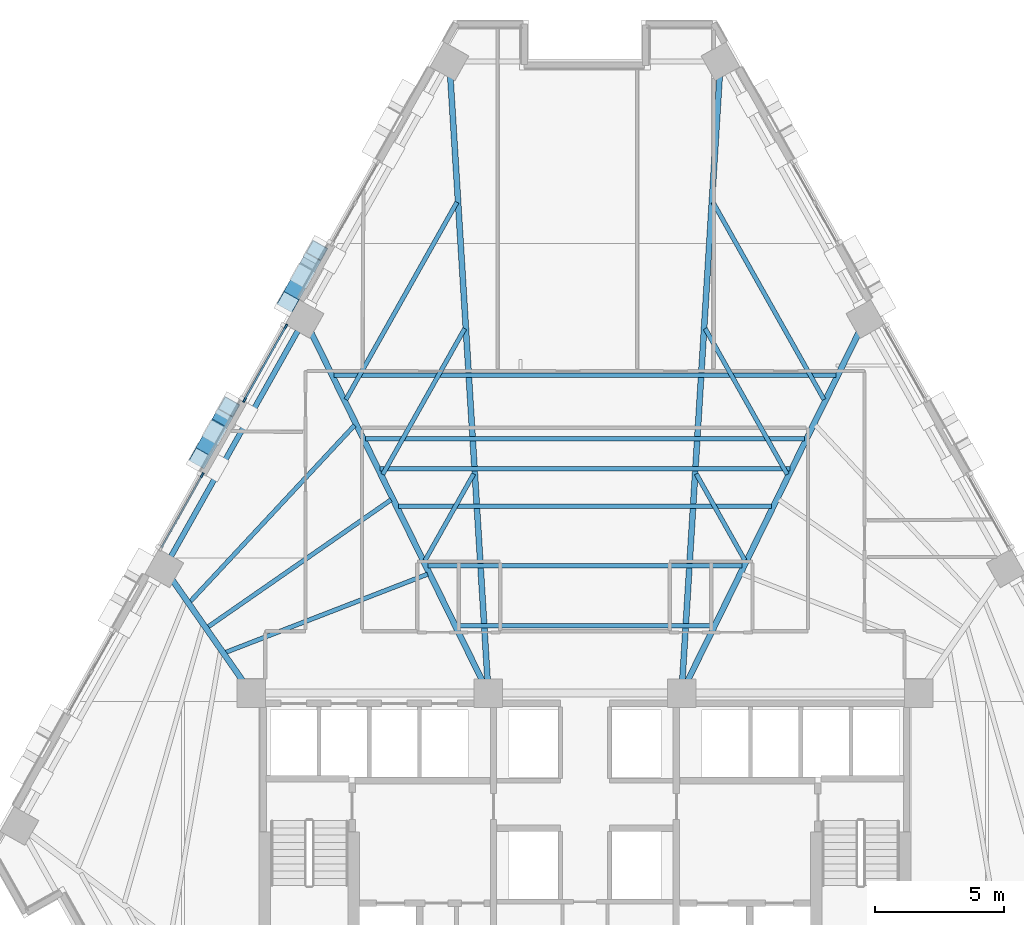
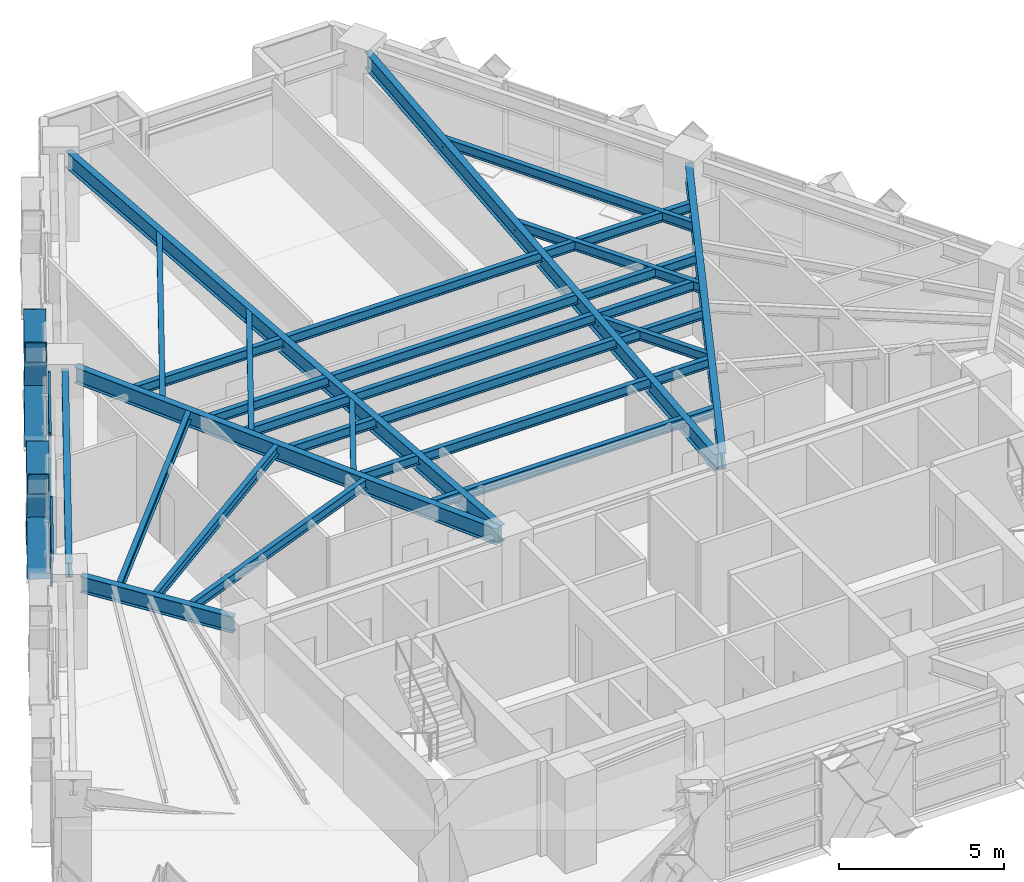
# One storey, part 3 of 14: 21 beams, 12 members, 2 elements without a shape of their own.
"""IFC4 building model written with IfcOpenShell, lengths in metres."""

import ifcopenshell
import ifcopenshell.guid

model = None  # the IFC model being written
_history = None  # IfcOwnerHistory: only IFC2X3 demands one
_inside = {}  # id of a spatial element -> (the spatial element, [elements in it])
_under = {}  # id of a project, library or spatial element -> (it, [spatial elements below it])
_declared = {}  # id of a project -> (the project, [libraries it declares])
_typed = {}  # id of a type object -> (the type object, [elements of that type])
_made_of = {}  # id of a material, layer set ... -> (it, [elements and type objects made of it])


def new_model(schema):
    """Start an empty IFC model of exactly this schema.

    Asked for "IFC4X3", IfcOpenShell would pick the latest addendum, in which some entities
    have other attributes; the version numbers below select the first issue.
    IFC2X3 requires an IfcOwnerHistory on every rooted entity: one is made here for all.
    """
    global model, _history
    if schema == "IFC4X3":
        model = ifcopenshell.file(schema_version=(4, 3, 0, 0))
    else:
        model = ifcopenshell.file(schema=schema)
    _inside.clear()
    _under.clear()
    _declared.clear()
    _typed.clear()
    _made_of.clear()
    _history = None
    if model.schema == "IFC2X3":
        org = make("IfcOrganization", Name="unknown")
        user = make(
            "IfcPersonAndOrganization",
            ThePerson=make("IfcPerson", FamilyName="unknown"),
            TheOrganization=org,
        )
        app = make(
            "IfcApplication",
            ApplicationDeveloper=org,
            Version="unknown",
            ApplicationFullName="unknown",
            ApplicationIdentifier="unknown",
        )
        _history = make(
            "IfcOwnerHistory",
            OwningUser=user,
            OwningApplication=app,
            ChangeAction="ADDED",
            CreationDate=0,
        )
    return model


def make(cls, **values):
    """One entity of the class cls with the attributes given. An attribute that is None is left unset."""
    return model.create_entity(
        cls, **{name: value for name, value in values.items() if value is not None}
    )


def rooted(cls, **values):
    """An entity with a GlobalId (a new one), such as an element, a storey or a relation."""
    return make(cls, GlobalId=ifcopenshell.guid.new(), OwnerHistory=_history, **values)


def si_unit(unit_type, name, prefix=None):
    """IfcSIUnit, for example si_unit("LENGTHUNIT", "METRE", prefix="MILLI")."""
    return make("IfcSIUnit", UnitType=unit_type, Prefix=prefix, Name=name)


def assignment(units):
    """IfcUnitAssignment: the units of a project."""
    return None if units is None else make("IfcUnitAssignment", Units=units)


def point(xyz):
    """IfcCartesianPoint."""
    return None if xyz is None else make("IfcCartesianPoint", Coordinates=xyz)


def direction(xyz):
    """IfcDirection."""
    return None if xyz is None else make("IfcDirection", DirectionRatios=xyz)


def frame(location, z_axis=None, x_axis=None):
    """IfcAxis2Placement3D, a coordinate frame: its origin and axes. An axis left out is left unset."""
    return make(
        "IfcAxis2Placement3D",
        Location=point(location),
        Axis=direction(z_axis),
        RefDirection=direction(x_axis),
    )


def frame_2d(location, x_axis=None):
    """IfcAxis2Placement2D, a coordinate frame in the plane: its origin and x axis."""
    return make(
        "IfcAxis2Placement2D", Location=point(location), RefDirection=direction(x_axis)
    )


def origin():
    """The frame at (0, 0, 0) with its axes left unset."""
    return frame((0.0, 0.0, 0.0))


def origin_2d():
    """The frame at (0, 0) in the plane with its x axis left unset."""
    return frame_2d((0.0, 0.0))


def place(relative_to, where):
    """IfcLocalPlacement: puts the frame where relative to a parent placement (None: the world)."""
    return make(
        "IfcLocalPlacement", PlacementRelTo=relative_to, RelativePlacement=where
    )


def context(
    kind, dimensions, precision=None, world=None, true_north=None, identifier=None
):
    """IfcGeometricRepresentationContext, for example the 3D "Model" context."""
    return make(
        "IfcGeometricRepresentationContext",
        ContextIdentifier=identifier,
        ContextType=kind,
        CoordinateSpaceDimension=dimensions,
        Precision=precision,
        WorldCoordinateSystem=world,
        TrueNorth=true_north,
    )


def subcontext(parent, identifier, kind, view, scale=None):
    """IfcGeometricRepresentationSubContext, for example "Body" below "Model"."""
    return make(
        "IfcGeometricRepresentationSubContext",
        ContextIdentifier=identifier,
        ContextType=kind,
        ParentContext=parent,
        TargetScale=scale,
        TargetView=view,
    )


def project(units=None, contexts=None):
    """IfcProject with its units and contexts."""
    return rooted(
        "IfcProject",
        Name="project",
        RepresentationContexts=contexts,
        UnitsInContext=assignment(units),
    )


def spatial(cls, under=None, at=None, **own):
    """A site, building, storey or space (cls), placed at a placement, below another one or the project."""
    s = rooted(cls, ObjectPlacement=at, **own)
    if under is not None:
        _under.setdefault(under.id(), (under, []))[1].append(s)
    return s


def profile(cls, at=None, kind="AREA", **sizes):
    """A parametric profile (cls). Its sizes go by their IFC names, for example OverallWidth=200.0."""
    return make(cls, ProfileType=kind, Position=at, **sizes)


def rectangle(**sizes):
    """IfcRectangleProfileDef."""
    return profile("IfcRectangleProfileDef", **sizes)


def hollow_rectangle(**sizes):
    """IfcRectangleHollowProfileDef."""
    return profile("IfcRectangleHollowProfileDef", **sizes)


def i_section(**sizes):
    """IfcIShapeProfileDef."""
    return profile("IfcIShapeProfileDef", **sizes)


def extrude(swept, where, along, depth):
    """IfcExtrudedAreaSolid: the profile swept, set in the frame where, extruded along a direction by depth."""
    return make(
        "IfcExtrudedAreaSolid",
        SweptArea=swept,
        Position=where,
        ExtrudedDirection=direction(along),
        Depth=depth,
    )


def shape(context_of_items, identifier, shape_type, items):
    """IfcShapeRepresentation: the items that make up one representation, for example the "Body"."""
    return make(
        "IfcShapeRepresentation",
        ContextOfItems=context_of_items,
        RepresentationIdentifier=identifier,
        RepresentationType=shape_type,
        Items=items,
    )


def material(Name=None, Category=None):
    """IfcMaterial."""
    return make("IfcMaterial", Name=Name, Category=Category)


def material_profile(
    of_material, cross_section, Name=None, Category=None, Priority=None
):
    """IfcMaterialProfile: a cross section and its material."""
    return make(
        "IfcMaterialProfile",
        Name=Name,
        Material=of_material,
        Profile=cross_section,
        Priority=Priority,
        Category=Category,
    )


def profile_set(profiles, Name=None, composite=None):
    """IfcMaterialProfileSet."""
    return make(
        "IfcMaterialProfileSet",
        Name=Name,
        MaterialProfiles=profiles,
        CompositeProfile=composite,
    )


def made_of(thing, what):
    """Note that an element or type object is made of a material, layer set ...; save() writes the relation."""
    if what is not None:
        _made_of.setdefault(what.id(), (what, []))[1].append(thing)
    return thing


def type_object(cls, material=None, **own):
    """A type object (cls), such as IfcWallType, which elements share."""
    return made_of(rooted(cls, **own), material)


def element(
    cls,
    number,
    at=None,
    inside=None,
    cuts=None,
    type_object=None,
    material=None,
    context=None,
    identifier="Body",
    shape_type=None,
    held_by="IfcProductDefinitionShape",
    body=None,
    shapes=None,
    **own,
):
    """One element of the class cls, such as IfcWall. Its Tag is "e" and its number.

    at: its placement. inside: the storey or other place that contains it. cuts: it is an
    opening in that element (IfcRelVoidsElement). A single representation is given by context,
    identifier, shape_type and body (its items); several are given by shapes. held_by: the class
    of the entity that holds the representations. save() writes the other relations.
    """
    e = rooted(cls, Tag="e%d" % number, ObjectPlacement=at, **own)
    if body is not None:
        shapes = [shape(context, identifier, shape_type, body)]
    if shapes is not None:
        e.Representation = make(held_by, Representations=shapes)
    if inside is not None:
        _inside.setdefault(inside.id(), (inside, []))[1].append(e)
    if cuts is not None:
        rooted(
            "IfcRelVoidsElement", RelatingBuildingElement=cuts, RelatedOpeningElement=e
        )
    if type_object is not None:
        _typed.setdefault(type_object.id(), (type_object, []))[1].append(e)
    return made_of(e, material)


def aggregate(whole, parts):
    """IfcRelAggregates: a whole, such as a stair, and the parts it consists of."""
    return rooted("IfcRelAggregates", RelatingObject=whole, RelatedObjects=parts)


def save(model, path):
    """Write the relations noted so far, then the file.

    IfcRelAggregates (storeys below a building ...), IfcRelContainedInSpatialStructure (elements
    in a storey), IfcRelDefinesByType, IfcRelAssociatesMaterial and IfcRelDeclares: one each for
    every whole, place, type object, material and project.
    """
    for whole, parts in _under.values():
        aggregate(whole, parts)
    for where, things in _inside.values():
        rooted(
            "IfcRelContainedInSpatialStructure",
            RelatedElements=things,
            RelatingStructure=where,
        )
    for kind, things in _typed.values():
        rooted("IfcRelDefinesByType", RelatedObjects=things, RelatingType=kind)
    for what, things in _made_of.values():
        rooted("IfcRelAssociatesMaterial", RelatedObjects=things, RelatingMaterial=what)
    for by, libraries in _declared.values():
        rooted("IfcRelDeclares", RelatingContext=by, RelatedDefinitions=libraries)
    model.write(path)


model = new_model("IFC4")

# Units and contexts
model_context = context("Model", 3, precision=1e-05, world=origin(), true_north=direction((0.0, 1.0)))
body_context = subcontext(model_context, "Body", "Model", "MODEL_VIEW")
ifc_project = project(units=[si_unit("LENGTHUNIT", "METRE"), si_unit("AREAUNIT", "SQUARE_METRE"), si_unit("VOLUMEUNIT", "CUBIC_METRE"), si_unit("PLANEANGLEUNIT", "RADIAN"), si_unit("MASSUNIT", "GRAM", prefix="KILO")], contexts=[model_context])

# Site, building, storey
site_placement = place(None, origin())
site = spatial("IfcSite", under=ifc_project, at=site_placement, CompositionType="ELEMENT")
building_placement = place(site_placement, origin())
building = spatial("IfcBuilding", under=site, at=building_placement, Name="Quenlor Broadcast Tower", CompositionType="ELEMENT")
storey_placement = place(building_placement, frame((0.0, 0.0, 80.10009765625)))
storey = spatial("IfcBuildingStorey", under=building, at=storey_placement, Name="L21", CompositionType="ELEMENT", Elevation=80.10009765625)

# Curtain wall, member
ifc_material_1 = material(Name="Architectural Terracotta and Low-E Glazing", Category="masonry")
curtain_wall_type = type_object("IfcCurtainWallType", Name="Unitised Terracotta Curtain Wall System Z2", PredefinedType="NOTDEFINED", material=ifc_material_1)
curtain_wall_1_placement = place(storey_placement, origin())
curtain_wall_1 = element("IfcCurtainWall", 1, at=curtain_wall_1_placement, inside=storey, type_object=curtain_wall_type, Name="L21 Curtain Wall CW2 (L21-NW-G1)", PredefinedType="NOTDEFINED")
ifc_material_2 = material(Name="Aluminium 6063-T6", Category="aluminium")
ifc_material_profile_1 = material_profile(ifc_material_2, rectangle(XDim=0.074951171875, YDim=0.199951171875, at=origin_2d()))
ifc_profile_set_1 = profile_set([ifc_material_profile_1], Name="Aluminium 6063-T6 MULL75x200")
member_type_1 = type_object("IfcMemberType", Name="CW2 Aluminium Mullion MULL_CW2", PredefinedType="MULLION", material=ifc_profile_set_1)
member_1_placement = place(storey_placement, frame((-14.857177734375, 3.660888671875, 0.0), z_axis=(0.0, 0.0, 1.0), x_axis=(-0.871575537123, 0.490261239636, 0.0)))
member_1 = element("IfcMember", 2, at=member_1_placement, type_object=member_type_1, Name="CW2 mullion 2", PredefinedType="MULLION", context=body_context, shape_type="SweptSolid", body=[
    extrude(rectangle(XDim=0.074951171875, YDim=0.199951171875, at=origin_2d()), origin(), (0.0, 0.0, 1.0), 3.25),
])

# Curtain wall, members
curtain_wall_2_placement = place(storey_placement, origin())
curtain_wall_2 = element("IfcCurtainWall", 3, at=curtain_wall_2_placement, inside=storey, type_object=curtain_wall_type, Name="L21 Curtain Wall CW2 (L21-NW-G2)", PredefinedType="NOTDEFINED")
member_2_placement = place(storey_placement, frame((-13.2138671875, 6.582275390625, 0.0), z_axis=(0.0, 0.0, 1.0), x_axis=(-0.871575537123, 0.490261239636, 0.0)))
member_2 = element("IfcMember", 4, at=member_2_placement, type_object=member_type_1, Name="CW2 mullion 1", PredefinedType="MULLION", context=body_context, shape_type="SweptSolid", body=[
    extrude(rectangle(XDim=0.074951171875, YDim=0.199951171875, at=origin_2d()), origin(), (0.0, 0.0, 1.0), 3.25),
])
member_3_placement = place(storey_placement, frame((-11.611572265625, 9.430419921875, 0.0), z_axis=(0.0, 0.0, 1.0), x_axis=(-0.871575537123, 0.490261239636, 0.0)))
member_3 = element("IfcMember", 5, at=member_3_placement, type_object=member_type_1, Name="CW2 mullion 2", PredefinedType="MULLION", context=body_context, shape_type="SweptSolid", body=[
    extrude(rectangle(XDim=0.074951171875, YDim=0.199951171875, at=origin_2d()), origin(), (0.0, 0.0, 1.0), 3.25),
])

# Member
ifc_material_3 = material(Name="Aluminium 6063-T6", Category="aluminium")
ifc_material_profile_2 = material_profile(ifc_material_3, rectangle(XDim=0.074951171875, YDim=0.1650390625, at=origin_2d()))
ifc_profile_set_2 = profile_set([ifc_material_profile_2], Name="Aluminium 6063-T6 TRAN75x165")
member_type_2 = type_object("IfcMemberType", Name="CW2 Aluminium Transom TRAN_CW2", PredefinedType="USERDEFINED", material=ifc_profile_set_2)
member_4_placement = place(storey_placement, frame((-16.44091796875, 0.845458984375, 3.21240234375), z_axis=(0.490297543358, 0.871555115283, 0.0), x_axis=(-0.871555115283, 0.490297543358, 0.0)))
member_4 = element("IfcMember", 6, at=member_4_placement, type_object=member_type_2, Name="CW2 transom 1.3", ObjectType="TRANSOM", PredefinedType="USERDEFINED", context=body_context, shape_type="SweptSolid", body=[
    extrude(rectangle(XDim=0.074951171875, YDim=0.1650390625, at=origin_2d()), origin(), (0.0, 0.0, 1.0), 3.19287109375),
])

aggregate(curtain_wall_1, [member_1, member_4])

member_5_placement = place(storey_placement, frame((-13.1953125, 6.614990234375, 0.037353515625), z_axis=(0.490206784037, 0.871606166158, 0.0), x_axis=(-0.871606166158, 0.490206784037, 0.0)))
member_5 = element("IfcMember", 7, at=member_5_placement, type_object=member_type_2, Name="CW2 transom 1.1", ObjectType="TRANSOM", PredefinedType="USERDEFINED", context=body_context, shape_type="SweptSolid", body=[
    extrude(rectangle(XDim=0.074951171875, YDim=0.1650390625, at=origin_2d()), origin(), (0.0, 0.0, 1.0), 3.19287109375),
])

member_6_placement = place(storey_placement, frame((-13.1953125, 6.614990234375, 0.949951171875), z_axis=(0.490206784037, 0.871606166158, 0.0), x_axis=(-0.871606166158, 0.490206784037, 0.0)))
member_6 = element("IfcMember", 8, at=member_6_placement, type_object=member_type_2, Name="CW2 transom 1.2", ObjectType="TRANSOM", PredefinedType="USERDEFINED", context=body_context, shape_type="SweptSolid", body=[
    extrude(rectangle(XDim=0.074951171875, YDim=0.1650390625, at=origin_2d()), origin(), (0.0, 0.0, 1.0), 3.19287109375),
])

member_7_placement = place(storey_placement, frame((-13.1953125, 6.614990234375, 3.21240234375), z_axis=(0.490206784037, 0.871606166158, 0.0), x_axis=(-0.871606166158, 0.490206784037, 0.0)))
member_7 = element("IfcMember", 9, at=member_7_placement, type_object=member_type_2, Name="CW2 transom 1.3", ObjectType="TRANSOM", PredefinedType="USERDEFINED", context=body_context, shape_type="SweptSolid", body=[
    extrude(rectangle(XDim=0.074951171875, YDim=0.1650390625, at=origin_2d()), origin(), (0.0, 0.0, 1.0), 3.19287109375),
])

aggregate(curtain_wall_2, [member_2, member_3, member_5, member_6, member_7])

# Members
ifc_material_4 = material(Name="Steel S355", Category="steel")
ifc_material_profile_3 = material_profile(ifc_material_4, hollow_rectangle(XDim=0.679931640625, YDim=0.679931640625, WallThickness=0.030029296875, at=origin_2d()))
ifc_profile_set_3 = profile_set([ifc_material_profile_3], Name="Steel S355 RHS680x680x30")
member_type_3 = type_object("IfcMemberType", Name="Perimeter Diagonal Lattice Brace Z2 Steel S355 RHS680x30", PredefinedType="BRACE", material=ifc_profile_set_3)
member_8_placement = place(storey_placement, frame((-14.94189453125, 4.316162109375, -0.1201171875), z_axis=(0.268642373731, 0.477592925498, 0.83650240439), x_axis=(-0.871578380919, 0.490256183964, 0.0)))
element("IfcMember", 10, at=member_8_placement, inside=storey, type_object=member_type_3, Name="L21 Perimeter Diamond Lattice NW-C3XA", PredefinedType="BRACE", context=body_context, shape_type="SweptSolid", body=[
    extrude(hollow_rectangle(XDim=0.679931640625, YDim=0.679931640625, WallThickness=0.030029296875, at=origin_2d()), origin(), (0.0, 0.0, 1.0), 4.18408203125),
])
member_9_placement = place(storey_placement, frame((-13.81787109375, 6.314453125, -0.1201171875), z_axis=(-0.268503779961, -0.477634562182, 0.836523128883), x_axis=(0.871704696361, -0.490031552394, 0.0)))
element("IfcMember", 11, at=member_9_placement, inside=storey, type_object=member_type_3, Name="L21 Perimeter Diamond Lattice NW-C3XB1", PredefinedType="BRACE", context=body_context, shape_type="SweptSolid", body=[
    extrude(hollow_rectangle(XDim=0.679931640625, YDim=0.679931640625, WallThickness=0.030029296875, at=origin_2d()), origin(), (0.0, 0.0, 1.0), 1.84228515625),
])
member_10_placement = place(storey_placement, frame((-14.447021484375, 5.19580078125, 1.839111328125), z_axis=(-0.268673537114, -0.477568206326, 0.836506508499), x_axis=(0.871543234879, -0.490318661421, 0.0)))
element("IfcMember", 12, at=member_10_placement, inside=storey, type_object=member_type_3, Name="L21 Perimeter Diamond Lattice NW-C3XB2", PredefinedType="BRACE", context=body_context, shape_type="SweptSolid", body=[
    extrude(hollow_rectangle(XDim=0.679931640625, YDim=0.679931640625, WallThickness=0.030029296875, at=origin_2d()), origin(), (0.0, 0.0, 1.0), 1.841796875),
])
member_11_placement = place(storey_placement, frame((-11.52880859375, 10.3837890625, -0.1201171875), z_axis=(0.268642373731, 0.477592925498, 0.83650240439), x_axis=(-0.871578380919, 0.490256183964, 0.0)))
element("IfcMember", 13, at=member_11_placement, inside=storey, type_object=member_type_3, Name="L21 Perimeter Diamond Lattice NW-C4XA", PredefinedType="BRACE", context=body_context, shape_type="SweptSolid", body=[
    extrude(hollow_rectangle(XDim=0.679931640625, YDim=0.679931640625, WallThickness=0.030029296875, at=origin_2d()), origin(), (0.0, 0.0, 1.0), 4.18408203125),
])
member_12_placement = place(storey_placement, frame((-11.033935546875, 11.263671875, 1.839111328125), z_axis=(-0.268656529223, -0.477670513725, 0.836453554971), x_axis=(0.871601370751, -0.490215310353, 0.0)))
element("IfcMember", 14, at=member_12_placement, inside=storey, type_object=member_type_3, Name="L21 Perimeter Diamond Lattice NW-C4XB2", PredefinedType="BRACE", context=body_context, shape_type="SweptSolid", body=[
    extrude(hollow_rectangle(XDim=0.679931640625, YDim=0.679931640625, WallThickness=0.030029296875, at=origin_2d()), origin(), (0.0, 0.0, 1.0), 1.842041015625),
])

# Beams
ifc_material_5 = material(Name="Steel S355", Category="steel")
ifc_material_profile_4 = material_profile(ifc_material_5, i_section(OverallWidth=0.208984375, OverallDepth=0.5283203125, WebThickness=0.009521484375, FlangeThickness=0.01318359375, FilletRadius=0.013916015625, at=origin_2d()))
ifc_profile_set_4 = profile_set([ifc_material_profile_4], Name="Steel S355 530UB82.0")
beam_type_1 = type_object("IfcBeamType", Name="Perimeter Spandrel Beam Z2 Steel S355 530UB82.0", PredefinedType="SPANDREL", material=ifc_profile_set_4)
beam_1_placement = place(storey_placement, frame((-11.087890625, 9.3623046875, 2.98583984375), z_axis=(-0.49026462139, -0.871573634878, 0.0), x_axis=(0.871573634878, -0.49026462139, 0.0)))
element("IfcBeam", 15, at=beam_1_placement, inside=storey, type_object=beam_type_1, Name="L21 Spandrel Beam NW2-NW3", PredefinedType="SPANDREL", context=body_context, shape_type="SweptSolid", body=[
    extrude(i_section(OverallWidth=0.208984375, OverallDepth=0.5283203125, WebThickness=0.009521484375, FlangeThickness=0.01318359375, FilletRadius=0.013916015625, at=origin_2d()), origin(), (0.0, 0.0, 1.0), 10.28271484375),
])
ifc_material_6 = material(Name="Steel S355", Category="steel")
ifc_material_profile_5 = material_profile(ifc_material_6, i_section(OverallWidth=0.172119140625, OverallDepth=0.358642578125, WebThickness=0.008056640625, FlangeThickness=0.012939453125, FilletRadius=0.011474609375, at=origin_2d()))
ifc_profile_set_5 = profile_set([ifc_material_profile_5], Name="Steel S355 360UB56.7")
beam_type_2 = type_object("IfcBeamType", Name="Tower Composite Joist Z2-Z3 Steel S355 360UB56.7", PredefinedType="JOIST", material=ifc_profile_set_5)
beam_2_placement = place(storey_placement, frame((-4.95458984375, -2.1865234375, 3.070556640625), z_axis=(1.0, 0.0, 0.0), x_axis=(0.0, 1.0, 0.0)))
element("IfcBeam", 16, at=beam_2_placement, inside=storey, type_object=beam_type_2, Name="L21 Secondary Composite Joist 1", PredefinedType="JOIST", context=body_context, shape_type="SweptSolid", body=[
    extrude(i_section(OverallWidth=0.172119140625, OverallDepth=0.358642578125, WebThickness=0.008056640625, FlangeThickness=0.012939453125, FilletRadius=0.011474609375, at=origin_2d()), origin(), (0.0, 0.0, 1.0), 9.9091796875),
])
beam_3_placement = place(storey_placement, frame((-7.9521484375, 3.911865234375, 3.070556640625), z_axis=(1.0, 0.0, 0.0), x_axis=(0.0, 1.0, 0.0)))
element("IfcBeam", 17, at=beam_3_placement, inside=storey, type_object=beam_type_2, Name="L21 Secondary Composite Joist 2", PredefinedType="JOIST", context=body_context, shape_type="SweptSolid", body=[
    extrude(i_section(OverallWidth=0.172119140625, OverallDepth=0.358642578125, WebThickness=0.008056640625, FlangeThickness=0.012939453125, FilletRadius=0.011474609375, at=origin_2d()), origin(), (0.0, 0.0, 1.0), 15.904296875),
])
beam_4_placement = place(storey_placement, frame((-6.096435546875, 0.13671875, 3.070556640625), z_axis=(1.0, 0.0, 0.0), x_axis=(0.0, 1.0, 0.0)))
element("IfcBeam", 18, at=beam_4_placement, inside=storey, type_object=beam_type_2, Name="L21 Secondary Composite Joist 3", PredefinedType="JOIST", context=body_context, shape_type="SweptSolid", body=[
    extrude(i_section(OverallWidth=0.172119140625, OverallDepth=0.358642578125, WebThickness=0.008056640625, FlangeThickness=0.012939453125, FilletRadius=0.011474609375, at=origin_2d()), origin(), (0.0, 0.0, 1.0), 12.19287109375),
])
beam_5_placement = place(storey_placement, frame((-7.238525390625, 2.4599609375, 3.070556640625), z_axis=(1.0, 0.0, 0.0), x_axis=(0.0, 1.0, 0.0)))
element("IfcBeam", 19, at=beam_5_placement, inside=storey, type_object=beam_type_2, Name="L21 Secondary Composite Joist 4", PredefinedType="JOIST", context=body_context, shape_type="SweptSolid", body=[
    extrude(i_section(OverallWidth=0.172119140625, OverallDepth=0.358642578125, WebThickness=0.008056640625, FlangeThickness=0.012939453125, FilletRadius=0.011474609375, at=origin_2d()), origin(), (0.0, 0.0, 1.0), 14.47705078125),
])
beam_6_placement = place(storey_placement, frame((-8.523193359375, 5.073486328125, 3.070556640625), z_axis=(1.0, 0.0, 0.0), x_axis=(0.0, 1.0, 0.0)))
element("IfcBeam", 20, at=beam_6_placement, inside=storey, type_object=beam_type_2, Name="L21 Secondary Composite Joist 5", PredefinedType="JOIST", context=body_context, shape_type="SweptSolid", body=[
    extrude(i_section(OverallWidth=0.172119140625, OverallDepth=0.358642578125, WebThickness=0.008056640625, FlangeThickness=0.012939453125, FilletRadius=0.011474609375, at=origin_2d()), origin(), (0.0, 0.0, 1.0), 17.04638671875),
])
beam_7_placement = place(storey_placement, frame((-9.736328125, 7.541748046875, 3.070556640625), z_axis=(1.0, 0.0, 0.0), x_axis=(0.0, 1.0, 0.0)))
element("IfcBeam", 21, at=beam_7_placement, inside=storey, type_object=beam_type_2, Name="L21 Secondary Composite Joist 6", PredefinedType="JOIST", context=body_context, shape_type="SweptSolid", body=[
    extrude(i_section(OverallWidth=0.172119140625, OverallDepth=0.358642578125, WebThickness=0.008056640625, FlangeThickness=0.012939453125, FilletRadius=0.011474609375, at=origin_2d()), origin(), (0.0, 0.0, 1.0), 19.47265625),
])
beam_8_placement = place(storey_placement, frame((-13.95703125, -3.221435546875, 3.070556640625), z_axis=(0.932542579586, 0.361060018916, 0.0), x_axis=(-0.361060018916, 0.932542579586, 0.0)))
element("IfcBeam", 22, at=beam_8_placement, inside=storey, type_object=beam_type_2, Name="L21 Secondary Composite Joist 7", PredefinedType="JOIST", context=body_context, shape_type="SweptSolid", body=[
    extrude(i_section(OverallWidth=0.172119140625, OverallDepth=0.358642578125, WebThickness=0.008056640625, FlangeThickness=0.012939453125, FilletRadius=0.011474609375, at=origin_2d()), origin(), (0.0, 0.0, 1.0), 8.416259765625),
])
beam_9_placement = place(storey_placement, frame((-14.641845703125, -2.236083984375, 3.070556640625), z_axis=(0.821385737622, 0.570373097219, 0.0), x_axis=(-0.570373097219, 0.821385737622, 0.0)))
element("IfcBeam", 23, at=beam_9_placement, inside=storey, type_object=beam_type_2, Name="L21 Secondary Composite Joist 8", PredefinedType="JOIST", context=body_context, shape_type="SweptSolid", body=[
    extrude(i_section(OverallWidth=0.172119140625, OverallDepth=0.358642578125, WebThickness=0.008056640625, FlangeThickness=0.012939453125, FilletRadius=0.011474609375, at=origin_2d()), origin(), (0.0, 0.0, 1.0), 8.662109375),
])
beam_10_placement = place(storey_placement, frame((-15.3291015625, -1.254638671875, 3.070556640625), z_axis=(0.681880655944, 0.73146344478, 0.0), x_axis=(-0.73146344478, 0.681880655944, 0.0)))
element("IfcBeam", 24, at=beam_10_placement, inside=storey, type_object=beam_type_2, Name="L21 Secondary Composite Joist 9", PredefinedType="JOIST", context=body_context, shape_type="SweptSolid", body=[
    extrude(i_section(OverallWidth=0.172119140625, OverallDepth=0.358642578125, WebThickness=0.008056640625, FlangeThickness=0.012939453125, FilletRadius=0.011474609375, at=origin_2d()), origin(), (0.0, 0.0, 1.0), 9.365234375),
])
beam_11_placement = place(storey_placement, frame((-4.318603515625, 3.7119140625, 3.070556640625), z_axis=(-0.49024921379, -0.871582301552, 0.0), x_axis=(0.871582301552, -0.49024921379, 0.0)))
element("IfcBeam", 25, at=beam_11_placement, inside=storey, type_object=beam_type_2, Name="L21 Secondary Composite Joist 25", PredefinedType="JOIST", context=body_context, shape_type="SweptSolid", body=[
    extrude(i_section(OverallWidth=0.172119140625, OverallDepth=0.358642578125, WebThickness=0.008056640625, FlangeThickness=0.012939453125, FilletRadius=0.011474609375, at=origin_2d()), origin(), (0.0, 0.0, 1.0), 3.85546875),
])
beam_12_placement = place(storey_placement, frame((-4.66650390625, 9.351318359375, 3.070556640625), z_axis=(-0.490232680913, -0.871591600789, 0.0), x_axis=(0.871591600789, -0.490232680913, 0.0)))
element("IfcBeam", 26, at=beam_12_placement, inside=storey, type_object=beam_type_2, Name="L21 Secondary Composite Joist 26", PredefinedType="JOIST", context=body_context, shape_type="SweptSolid", body=[
    extrude(i_section(OverallWidth=0.172119140625, OverallDepth=0.358642578125, WebThickness=0.008056640625, FlangeThickness=0.012939453125, FilletRadius=0.011474609375, at=origin_2d()), origin(), (0.0, 0.0, 1.0), 6.494140625),
])
beam_13_placement = place(storey_placement, frame((-4.96875, 14.255126953125, 3.070556640625), z_axis=(-0.490273109583, -0.871568860171, 0.0), x_axis=(0.871568860171, -0.490273109583, 0.0)))
element("IfcBeam", 27, at=beam_13_placement, inside=storey, type_object=beam_type_2, Name="L21 Secondary Composite Joist 27", PredefinedType="JOIST", context=body_context, shape_type="SweptSolid", body=[
    extrude(i_section(OverallWidth=0.172119140625, OverallDepth=0.358642578125, WebThickness=0.008056640625, FlangeThickness=0.012939453125, FilletRadius=0.011474609375, at=origin_2d()), origin(), (0.0, 0.0, 1.0), 8.78857421875),
])
beam_14_placement = place(storey_placement, frame((4.318603515625, 3.7119140625, 3.070556640625), z_axis=(0.49024921379, -0.871582301552, 0.0), x_axis=(0.871582301552, 0.49024921379, 0.0)))
element("IfcBeam", 28, at=beam_14_placement, inside=storey, type_object=beam_type_2, Name="L21 Secondary Composite Joist 28", PredefinedType="JOIST", context=body_context, shape_type="SweptSolid", body=[
    extrude(i_section(OverallWidth=0.172119140625, OverallDepth=0.358642578125, WebThickness=0.008056640625, FlangeThickness=0.012939453125, FilletRadius=0.011474609375, at=origin_2d()), origin(), (0.0, 0.0, 1.0), 3.85546875),
])
beam_15_placement = place(storey_placement, frame((4.66650390625, 9.351318359375, 3.070556640625), z_axis=(0.490232680913, -0.871591600789, 0.0), x_axis=(0.871591600789, 0.490232680913, 0.0)))
element("IfcBeam", 29, at=beam_15_placement, inside=storey, type_object=beam_type_2, Name="L21 Secondary Composite Joist 29", PredefinedType="JOIST", context=body_context, shape_type="SweptSolid", body=[
    extrude(i_section(OverallWidth=0.172119140625, OverallDepth=0.358642578125, WebThickness=0.008056640625, FlangeThickness=0.012939453125, FilletRadius=0.011474609375, at=origin_2d()), origin(), (0.0, 0.0, 1.0), 6.494140625),
])
beam_16_placement = place(storey_placement, frame((4.96875, 14.255126953125, 3.070556640625), z_axis=(0.490273109583, -0.871568860171, 0.0), x_axis=(0.871568860171, 0.490273109583, 0.0)))
element("IfcBeam", 30, at=beam_16_placement, inside=storey, type_object=beam_type_2, Name="L21 Secondary Composite Joist 30", PredefinedType="JOIST", context=body_context, shape_type="SweptSolid", body=[
    extrude(i_section(OverallWidth=0.172119140625, OverallDepth=0.358642578125, WebThickness=0.008056640625, FlangeThickness=0.012939453125, FilletRadius=0.011474609375, at=origin_2d()), origin(), (0.0, 0.0, 1.0), 8.78857421875),
])
ifc_material_7 = material(Name="Steel S355", Category="steel")
ifc_material_profile_6 = material_profile(ifc_material_7, i_section(OverallWidth=0.22802734375, OverallDepth=0.60205078125, WebThickness=0.010498046875, FlangeThickness=0.014892578125, FilletRadius=0.013916015625, at=origin_2d()))
ifc_profile_set_6 = profile_set([ifc_material_profile_6], Name="Steel S355 610UB101")
beam_type_3 = type_object("IfcBeamType", Name="Tower Primary Floor Beam Z2 Steel S355 610UB101", PredefinedType="BEAM", material=ifc_profile_set_6)
beam_17_placement = place(storey_placement, frame((10.7060546875, 9.351806640625, 2.948974609375), z_axis=(-0.441130328176, -0.897443053103, 0.0), x_axis=(0.897443053103, -0.441130328176, 0.0)))
element("IfcBeam", 31, at=beam_17_placement, inside=storey, type_object=beam_type_3, Name="L21 Primary Radial Beam NE3", PredefinedType="BEAM", context=body_context, shape_type="SweptSolid", body=[
    extrude(i_section(OverallWidth=0.22802734375, OverallDepth=0.60205078125, WebThickness=0.010498046875, FlangeThickness=0.014892578125, FilletRadius=0.013916015625, at=origin_2d()), origin(), (0.0, 0.0, 1.0), 15.38916015625),
])
for number, where, z_axis, x_axis, name in (
    (32, (5.237060546875, 19.309814453125, 2.948974609375), (-0.061559977358, -0.998103386022, 0.0), (0.998103386022, -0.061559977358, 0.0), "L21 Primary Radial Beam NE4"),
    (33, (-5.237060546875, 19.309814453125, 2.948974609375), (0.061559977358, -0.998103386022, 0.0), (0.998103386022, 0.061559977358, 0.0), "L21 Primary Radial Beam NW1"),
):
    element("IfcBeam", number, at=place(storey_placement, frame(where, z_axis=z_axis, x_axis=x_axis)), inside=storey, type_object=beam_type_3, Name=name, PredefinedType="BEAM", context=body_context, shape_type="SweptSolid", body=[
        extrude(i_section(OverallWidth=0.22802734375, OverallDepth=0.60205078125, WebThickness=0.010498046875, FlangeThickness=0.014892578125, FilletRadius=0.013916015625, at=origin_2d()), origin(), (0.0, 0.0, 1.0), 23.775634765625),
    ])
beam_18_placement = place(storey_placement, frame((-10.7060546875, 9.351806640625, 2.948974609375), z_axis=(0.441130328176, -0.897443053103, 0.0), x_axis=(0.897443053103, 0.441130328176, 0.0)))
element("IfcBeam", 34, at=beam_18_placement, inside=storey, type_object=beam_type_3, Name="L21 Primary Radial Beam NW2", PredefinedType="BEAM", context=body_context, shape_type="SweptSolid", body=[
    extrude(i_section(OverallWidth=0.22802734375, OverallDepth=0.60205078125, WebThickness=0.010498046875, FlangeThickness=0.014892578125, FilletRadius=0.013916015625, at=origin_2d()), origin(), (0.0, 0.0, 1.0), 15.38916015625),
])
beam_19_placement = place(storey_placement, frame((-16.095458984375, -0.293212890625, 2.948974609375), z_axis=(0.572337599985, -0.820018092266, 0.0), x_axis=(0.820018092266, 0.572337599985, 0.0)))
element("IfcBeam", 35, at=beam_19_placement, inside=storey, type_object=beam_type_3, Name="L21 Primary Radial Beam NW3", PredefinedType="BEAM", context=body_context, shape_type="SweptSolid", body=[
    extrude(i_section(OverallWidth=0.22802734375, OverallDepth=0.60205078125, WebThickness=0.010498046875, FlangeThickness=0.014892578125, FilletRadius=0.013916015625, at=origin_2d()), origin(), (0.0, 0.0, 1.0), 5.11572265625),
])

save(model, "model.ifc")
